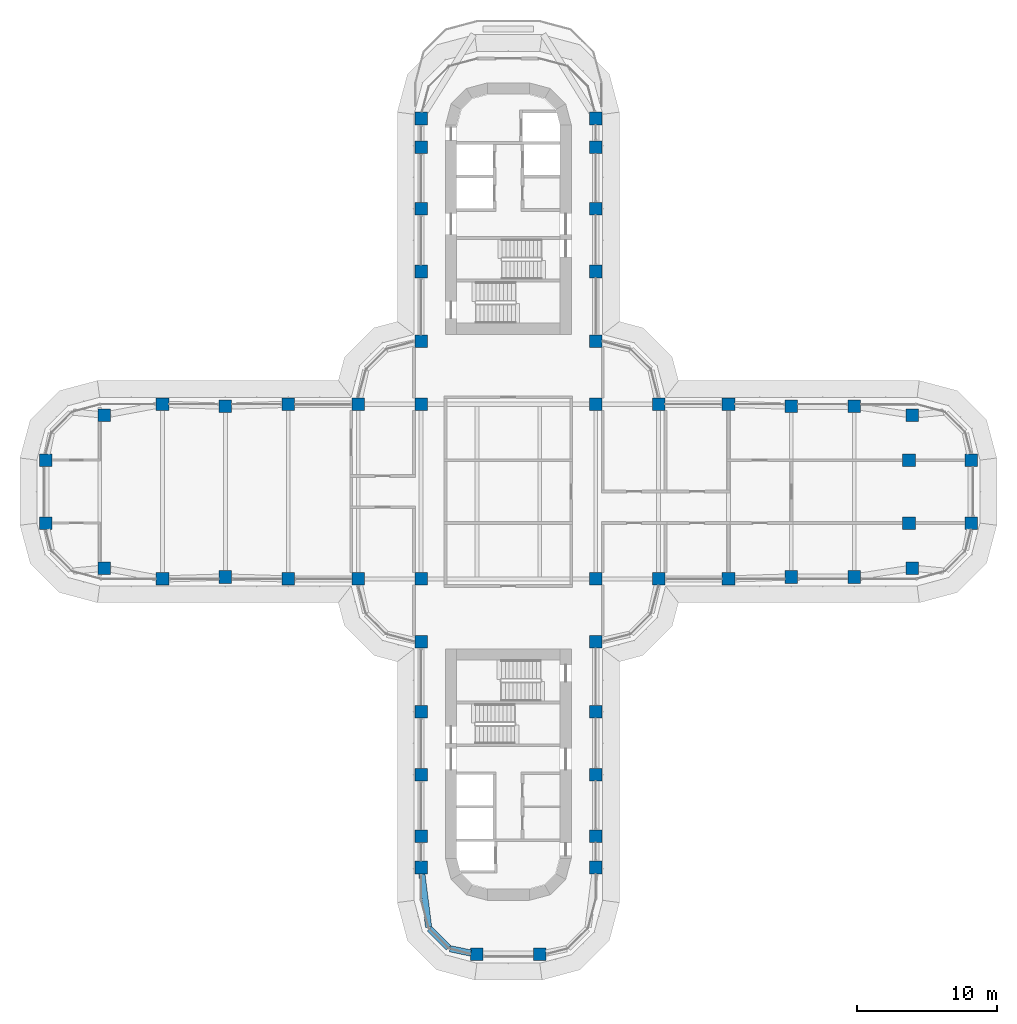
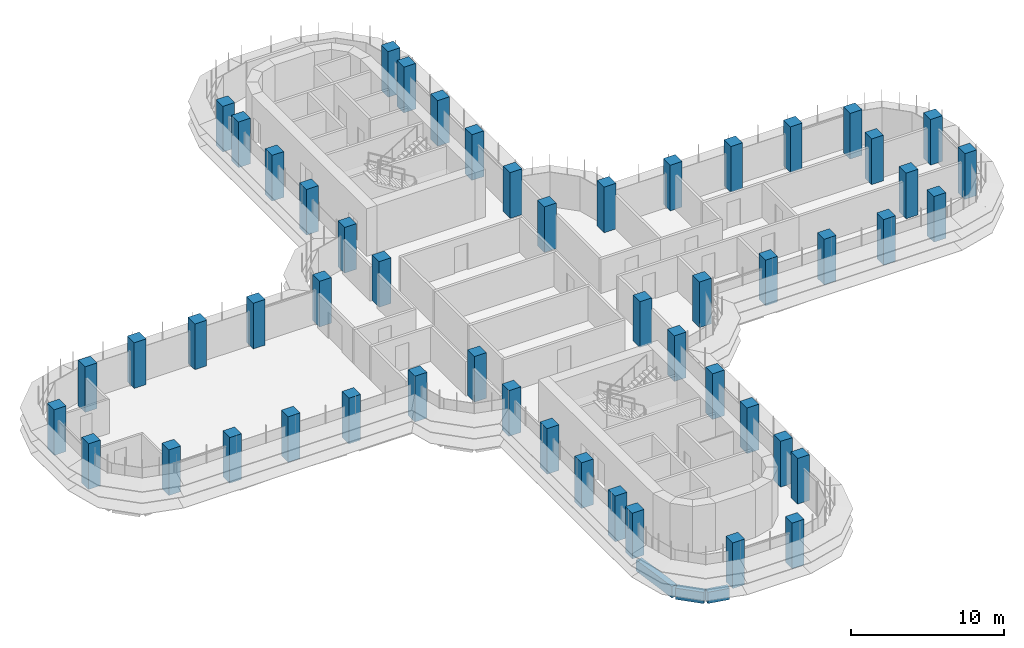
# One storey, part 1 of 22: 52 columns, 3 beams.
"""IFC4 building model written with IfcOpenShell, lengths in metres."""

from ifc_helpers import new_model, si_unit, direction, frame, origin, origin_2d, place, context, subcontext, project, spatial, rectangle, extrude, material, material_profile, profile_set, type_object, element, save


model = new_model("IFC4")

# Units and contexts
model_context = context("Model", 3, precision=1e-05, world=origin(), true_north=direction((0.0, 1.0)))
body_context = subcontext(model_context, "Body", "Model", "MODEL_VIEW")
ifc_project = project(units=[si_unit("LENGTHUNIT", "METRE"), si_unit("AREAUNIT", "SQUARE_METRE"), si_unit("VOLUMEUNIT", "CUBIC_METRE"), si_unit("PLANEANGLEUNIT", "RADIAN"), si_unit("MASSUNIT", "GRAM", prefix="KILO")], contexts=[model_context])

# Site, building, storey
site_placement = place(None, origin())
site = spatial("IfcSite", under=ifc_project, at=site_placement, CompositionType="ELEMENT")
building_placement = place(site_placement, origin())
building = spatial("IfcBuilding", under=site, at=building_placement, Name="Zarbagh Exchange Tower", CompositionType="ELEMENT")
storey_placement = place(building_placement, frame((0.0, 0.0, 94.199951171875)))
storey = spatial("IfcBuildingStorey", under=building, at=storey_placement, Name="L21", CompositionType="ELEMENT", Elevation=94.199951171875)

# Columns
ifc_material = material(Name="Concrete C60/75", Category="concrete")
ifc_material_profile_1 = material_profile(ifc_material, rectangle(XDim=0.89990234375, YDim=0.89990234375, at=origin_2d()), Name="RC column 900 x 900 C60/75")
ifc_profile_set_1 = profile_set([ifc_material_profile_1], Name="Concrete C60/75")
column_type = type_object("IfcColumnType", Name="RC column 900 x 900 C60/75", PredefinedType="COLUMN", material=ifc_profile_set_1)
for number, where, z_axis, x_axis, name in (
    (1, (-33.110107421875, -2.25, 0.0), (0.0, 0.0, 1.0), (1.0, 0.0, 0.0), "C3 10/S"),
    (2, (-33.110107421875, 2.25, 0.0), (0.0, 0.0, 1.0), (1.0, 0.0, 0.0), "C3 10/T"),
    (3, (-28.907958984375, -5.47509765625, 0.0), (0.0, 0.0, 1.0), (1.0, 0.0, 0.0), "C3 11/R"),
    (4, (-28.907958984375, 5.47509765625, 0.0), (0.0, 0.0, 1.0), (1.0, 0.0, 0.0), "C3 11/U"),
    (5, (-24.75, -6.25, 0.0), (0.0, 0.0, 1.0), (1.0, 0.0, 0.0), "C3 12/R"),
    (6, (-24.75, 6.25, 0.0), (0.0, 0.0, 1.0), (1.0, 0.0, 0.0), "C3 12/U"),
    (7, (-20.25, -6.110107421875, 0.0), (0.0, 0.0, 1.0), (1.0, 0.0, 0.0), "C3 13/R"),
    (8, (-20.25, 6.110107421875, 0.0), (0.0, 0.0, 1.0), (1.0, 0.0, 0.0), "C3 13/U"),
    (9, (-15.75, -6.25, 0.0), (0.0, 0.0, 1.0), (1.0, 0.0, 0.0), "C3 14/R"),
    (10, (-15.75, 6.25, 0.0), (0.0, 0.0, 1.0), (1.0, 0.0, 0.0), "C3 14/U"),
    (11, (-10.75, -6.25, 0.0), (0.0, 0.0, 1.0), (1.0, 0.0, 0.0), "C3 15/R"),
    (12, (-10.75, 6.25, 0.0), (0.0, 0.0, 1.0), (1.0, 0.0, 0.0), "C3 15/U"),
    (13, (-6.25, -26.89990234375, 0.0), (0.0, 0.0, 1.0), (1.0, 0.0, 0.0), "C3 16/L"),
    (14, (-6.25, -24.64990234375, 0.0), (0.0, 0.0, 1.0), (1.0, 0.0, 0.0), "C3 16/M"),
    (15, (-6.25, -20.25, 0.0), (0.0, 0.0, 1.0), (1.0, 0.0, 0.0), "C3 16/N"),
    (16, (-6.25, -15.75, 0.0), (0.0, 0.0, 1.0), (1.0, 0.0, 0.0), "C3 16/P"),
    (17, (-6.25, -10.75, 0.0), (0.0, 0.0, 1.0), (1.0, 0.0, 0.0), "C3 16/Q"),
    (18, (-6.25, -6.25, 0.0), (0.0, 0.0, 1.0), (1.0, 0.0, 0.0), "C3 16/R"),
    (19, (-6.25, 6.25, 0.0), (0.0, 0.0, 1.0), (1.0, 0.0, 0.0), "C3 16/U"),
    (20, (-6.25, 10.75, 0.0), (0.0, 0.0, 1.0), (1.0, 0.0, 0.0), "C3 16/V"),
    (21, (-6.25, 15.75, 0.0), (0.0, 0.0, 1.0), (1.0, 0.0, 0.0), "C3 16/W"),
    (22, (-6.25, 20.25, 0.0), (0.0, 0.0, 1.0), (1.0, 0.0, 0.0), "C3 16/X"),
    (23, (-6.25, 24.64990234375, 0.0), (0.0, 0.0, 1.0), (1.0, 0.0, 0.0), "C3 16/Y"),
    (24, (-6.25, 26.699951171875, 0.0), (0.0, 0.0, 1.0), (1.0, 0.0, 0.0), "C3 16/Z"),
    (25, (-2.25, -33.110107421875, 0.0), (0.0, 0.0, 1.0), (1.0, 0.0, 0.0), "C3 17/K"),
    (26, (2.25, -33.110107421875, 0.0), (0.0, 0.0, 1.0), (1.0, 0.0, 0.0), "C3 18/K"),
    (27, (6.25, -26.89990234375, 0.0), (0.0, 0.0, 1.0), (1.0, 0.0, 0.0), "C3 19/L"),
    (28, (6.25, -24.64990234375, 0.0), (0.0, 0.0, 1.0), (1.0, 0.0, 0.0), "C3 19/M"),
    (29, (6.25, -20.25, 0.0), (0.0, 0.0, 1.0), (1.0, 0.0, 0.0), "C3 19/N"),
    (30, (6.25, -15.75, 0.0), (0.0, 0.0, 1.0), (1.0, 0.0, 0.0), "C3 19/P"),
    (31, (6.25, -10.75, 0.0), (0.0, 0.0, 1.0), (1.0, 0.0, 0.0), "C3 19/Q"),
    (32, (6.25, -6.25, 0.0), (0.0, 0.0, 1.0), (1.0, 0.0, 0.0), "C3 19/R"),
    (33, (6.25, 6.25, 0.0), (0.0, 0.0, 1.0), (1.0, 0.0, 0.0), "C3 19/U"),
    (34, (6.25, 10.75, 0.0), (0.0, 0.0, 1.0), (1.0, 0.0, 0.0), "C3 19/V"),
    (35, (6.25, 15.75, 0.0), (0.0, 0.0, 1.0), (1.0, 0.0, 0.0), "C3 19/W"),
    (36, (6.25, 20.25, 0.0), (0.0, 0.0, 1.0), (1.0, 0.0, 0.0), "C3 19/X"),
    (37, (6.25, 24.64990234375, 0.0), (0.0, 0.0, 1.0), (1.0, 0.0, 0.0), "C3 19/Y"),
    (38, (6.25, 26.699951171875, 0.0), (0.0, 0.0, 1.0), (1.0, 0.0, 0.0), "C3 19/Z"),
    (39, (10.75, -6.25, 0.0), (0.0, 0.0, 1.0), (1.0, 0.0, 0.0), "C3 20/R"),
    (40, (10.75, 6.25, 0.0), (0.0, 0.0, 1.0), (1.0, 0.0, 0.0), "C3 20/U"),
    (41, (15.75, -6.25, 0.0), (0.0, 0.0, 1.0), (1.0, 0.0, 0.0), "C3 21/R"),
    (42, (15.75, 6.25, 0.0), (0.0, 0.0, 1.0), (1.0, 0.0, 0.0), "C3 21/U"),
    (43, (20.25, -6.110107421875, 0.0), (0.0, 0.0, 1.0), (1.0, 0.0, 0.0), "C3 22/R"),
    (44, (20.25, 6.110107421875, 0.0), (0.0, 0.0, 1.0), (1.0, 0.0, 0.0), "C3 22/U"),
    (45, (24.75, -6.110107421875, 0.0), (0.0, 0.0, 1.0), (1.0, 0.0, 0.0), "C3 23/R"),
    (46, (24.75, 6.110107421875, 0.0), (0.0, 0.0, 1.0), (1.0, 0.0, 0.0), "C3 23/U"),
    (47, (28.907958984375, -5.47509765625, 0.0), (0.0, 0.0, 1.0), (1.0, 0.0, 0.0), "C3 24/R"),
    (48, (28.669921875, -2.25, 0.0), (0.0, 0.0, 1.0), (1.0, 0.0, 0.0), "C3 24/S"),
    (49, (28.669921875, 2.25, 0.0), (0.0, 0.0, 1.0), (1.0, 0.0, 0.0), "C3 24/T"),
    (50, (28.907958984375, 5.47509765625, 0.0), (0.0, 0.0, 1.0), (1.0, 0.0, 0.0), "C3 24/U"),
    (51, (33.110107421875, -2.25, 0.0), (0.0, 0.0, 1.0), (1.0, 0.0, 0.0), "C3 25/S"),
    (52, (33.110107421875, 2.25, 0.0), (0.0, 0.0, 1.0), (1.0, 0.0, 0.0), "C3 25/T"),
):
    element("IfcColumn", number, at=place(storey_placement, frame(where, z_axis=z_axis, x_axis=x_axis)), inside=storey, type_object=column_type, Name=name, PredefinedType="COLUMN", context=body_context, shape_type="SweptSolid", body=[
        extrude(rectangle(XDim=0.89990234375, YDim=0.89990234375, at=origin_2d()), origin(), (0.0, 0.0, 1.0), 3.650146484375),
    ])

# Beams
ifc_material_profile_2 = material_profile(ifc_material, rectangle(XDim=0.449951171875, YDim=0.89990234375, at=origin_2d()), Name="RC spandrel beam 450 x 900 C60/75")
ifc_profile_set_2 = profile_set([ifc_material_profile_2], Name="Concrete C60/75")
beam_type = type_object("IfcBeamType", Name="RC spandrel beam 450 x 900 C60/75", PredefinedType="SPANDREL", material=ifc_profile_set_2)
beam_1_placement = place(storey_placement, frame((-2.690673828125, -33.01904296875, -0.599853515625), z_axis=(-0.979328675816, 0.202275417995, 0.0), x_axis=(-0.202275417995, -0.979328675816, 0.0)))
element("IfcBeam", 53, at=beam_1_placement, inside=storey, type_object=beam_type, Name="RC spandrel beam", PredefinedType="SPANDREL", context=body_context, shape_type="SweptSolid", body=[
    extrude(rectangle(XDim=0.449951171875, YDim=0.89990234375, at=origin_2d()), origin(), (0.0, 0.0, 1.0), 1.515869140625),
])
beam_2_placement = place(storey_placement, frame((-4.288818359375, -32.651123046875, -0.599853515625), z_axis=(-0.707106781187, 0.707106781187, 0.0), x_axis=(-0.707106781187, -0.707106781187, 0.0)))
element("IfcBeam", 54, at=beam_2_placement, inside=storey, type_object=beam_type, Name="RC spandrel beam", PredefinedType="SPANDREL", context=body_context, shape_type="SweptSolid", body=[
    extrude(rectangle(XDim=0.449951171875, YDim=0.89990234375, at=origin_2d()), origin(), (0.0, 0.0, 1.0), 1.9169921875),
])
beam_3_placement = place(storey_placement, frame((-5.70849609375, -31.164794921875, -0.599853515625), z_axis=(-0.12597055537, 0.992033980859, 0.0), x_axis=(-0.992033980859, -0.12597055537, 0.0)))
element("IfcBeam", 55, at=beam_3_placement, inside=storey, type_object=beam_type, Name="RC spandrel beam", PredefinedType="SPANDREL", context=body_context, shape_type="SweptSolid", body=[
    extrude(rectangle(XDim=0.449951171875, YDim=0.89990234375, at=origin_2d()), origin(), (0.0, 0.0, 1.0), 3.84912109375),
])

save(model, "model.ifc")
